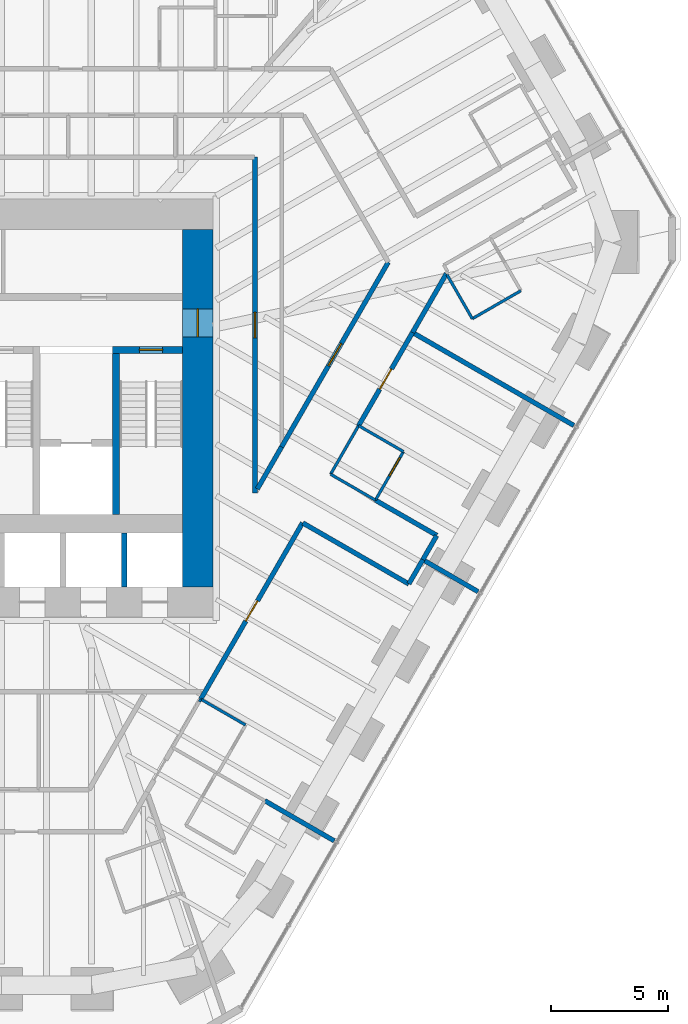
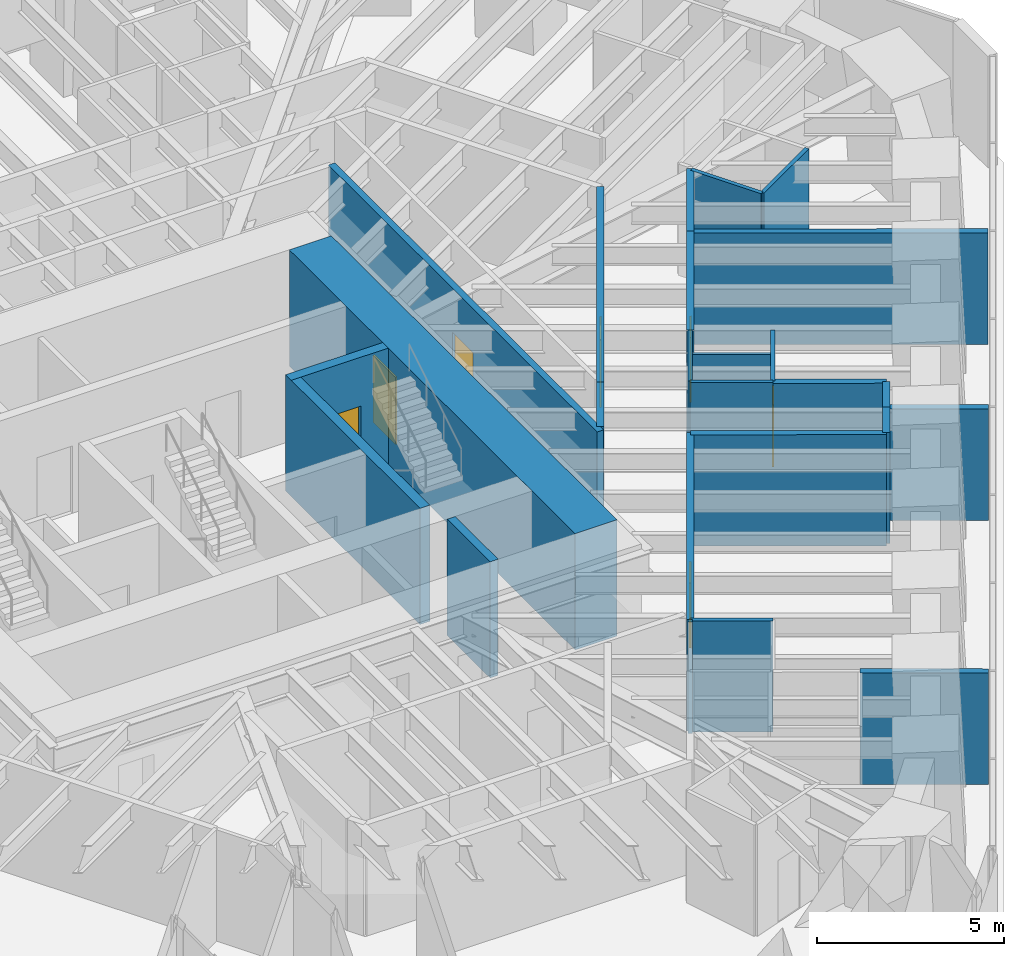
# One storey, part 13 of 18: 25 walls, 7 doors, 7 openings.
"""IFC4 building model written with IfcOpenShell, lengths in metres."""

from ifc_helpers import new_model, si_unit, direction, frame, frame_2d, origin, place, context, subcontext, project, spatial, rectangle, extrude, material, layer, layer_set, type_object, element, fill, save


model = new_model("IFC4")

# Units and contexts
model_context = context("Model", 3, precision=1e-05, world=origin(), true_north=direction((0.0, 1.0)))
body_context = subcontext(model_context, "Body", "Model", "MODEL_VIEW")
ifc_project = project(units=[si_unit("LENGTHUNIT", "METRE"), si_unit("AREAUNIT", "SQUARE_METRE"), si_unit("VOLUMEUNIT", "CUBIC_METRE"), si_unit("PLANEANGLEUNIT", "RADIAN"), si_unit("MASSUNIT", "GRAM", prefix="KILO")], contexts=[model_context])

# Site, building, storey
site_placement = place(None, origin())
site = spatial("IfcSite", under=ifc_project, at=site_placement, CompositionType="ELEMENT")
building_placement = place(site_placement, origin())
building = spatial("IfcBuilding", under=site, at=building_placement, Name="Sandreach Pilgrim Tower", CompositionType="ELEMENT")
storey_placement = place(building_placement, frame((0.0, 0.0, 157.60009765625)))
storey = spatial("IfcBuildingStorey", under=building, at=storey_placement, Name="L39", CompositionType="ELEMENT", Elevation=157.60009765625)

# Walls
ifc_material_1 = material(Name="Moisture-resistant gypsum board on steel studs", Category="steel")
ifc_layer_1 = layer(ifc_material_1, 0.1201171875)
ifc_layer_set_1 = layer_set([ifc_layer_1], Name="Bathroom partition 120")
wall_type_1 = type_object("IfcWallType", Name="Bathroom partition 120", PredefinedType="PARTITIONING", material=ifc_layer_set_1)
wall_1_placement = place(storey_placement, frame((8.469970703125, -14.1201171875, 0.0), z_axis=(0.0, 0.0, 1.0), x_axis=(0.478852130681, 0.877895572914, 0.0)))
element("IfcWall", 1, at=wall_1_placement, inside=storey, type_object=wall_type_1, Name="Bathroom partition L39-105", PredefinedType="PARTITIONING", context=body_context, shape_type="SweptSolid", body=[
    extrude(rectangle(XDim=0.12548828125, YDim=0.1201171875, at=frame_2d((0.062744140625, 0.0))), origin(), (0.0, 0.0, 1.0), 3.639892578125),
])
wall_2_placement = place(storey_placement, frame((10.449951171875, -15.1201171875, 0.0), z_axis=(0.0, 0.0, 1.0), x_axis=(-0.865705017107, 0.500554515868, 0.0)))
element("IfcWall", 2, at=wall_2_placement, inside=storey, type_object=wall_type_1, Name="Bathroom partition L39-119", PredefinedType="PARTITIONING", context=body_context, shape_type="SweptSolid", body=[
    extrude(rectangle(XDim=2.2177734375, YDim=0.1201171875, at=frame_2d((1.10888671875, 0.0))), origin(), (0.0, 0.0, 1.0), 3.639892578125),
])
wall_3_placement = place(storey_placement, frame((14.090087890625, -4.3798828125, 0.0), z_axis=(0.0, 0.0, 1.0), x_axis=(0.499737123639, 0.866177122335, 0.0)))
element("IfcWall", 3, at=wall_3_placement, inside=storey, type_object=wall_type_1, Name="Bathroom partition L39-132", PredefinedType="PARTITIONING", context=body_context, shape_type="SweptSolid", body=[
    extrude(rectangle(XDim=2.401123046875, YDim=0.1201171875, at=frame_2d((1.20068359375, 0.0))), origin(), (0.0, 0.0, 1.0), 3.639892578125),
])
wall_4_placement = place(storey_placement, frame((14.090087890625, -4.3798828125, 0.0), z_axis=(0.0, 0.0, 1.0), x_axis=(0.865705017107, -0.500554515868, 0.0)))
element("IfcWall", 4, at=wall_4_placement, inside=storey, type_object=wall_type_1, Name="Bathroom partition L39-133", PredefinedType="PARTITIONING", context=body_context, shape_type="SweptSolid", body=[
    extrude(rectangle(XDim=2.2177734375, YDim=0.1201171875, at=frame_2d((1.10888671875, 0.0))), origin(), (0.0, 0.0, 1.0), 3.639892578125),
])

# Wall, opening, door
wall_5_placement = place(storey_placement, frame((16.010009765625, -5.489990234375, 0.0), z_axis=(0.0, 0.0, 1.0), x_axis=(0.499693115345, 0.866202511239, 0.0)))
wall_5 = element("IfcWall", 5, at=wall_5_placement, inside=storey, type_object=wall_type_1, Name="Bathroom partition L39-135", PredefinedType="PARTITIONING", context=body_context, shape_type="SweptSolid", body=[
    extrude(rectangle(XDim=2.4013671875, YDim=0.1201171875, at=frame_2d((1.20068359375, 0.0))), origin(), (0.0, 0.0, 1.0), 3.639892578125),
])
opening_1_placement = place(wall_5_placement, frame((1.201416015625, 0.0, 0.0)))
opening_1 = element("IfcOpeningElement", 6, at=opening_1_placement, cuts=wall_5, Name="Opening D09-07B", PredefinedType="OPENING", context=body_context, shape_type="SweptSolid", body=[
    extrude(rectangle(XDim=0.89990234375, YDim=2.030029296875, at=frame_2d((0.449951171875, 1.01513671875))), frame((0.0, 0.06005859375, 0.0), z_axis=(0.0, -1.0, 0.0), x_axis=(1.0, 0.0, 0.0)), (0.0, 0.0, 1.0), 0.1201171875),
])
ifc_material_2 = material(Name="Timber door, steel frame", Category="steel")
door_type_1 = type_object("IfcDoorType", Name="Bathroom door", OperationType="SINGLE_SWING_LEFT", PredefinedType="DOOR", material=ifc_material_2)
door_1_placement = place(opening_1_placement, origin())
door_1 = element("IfcDoor", 7, at=door_1_placement, inside=storey, type_object=door_type_1, Name="Door 3907B", OperationType="SINGLE_SWING_RIGHT", OverallHeight=2.030029296875, OverallWidth=0.89990234375, PredefinedType="DOOR", context=body_context, shape_type="SweptSolid", body=[
    extrude(rectangle(XDim=0.89990234375, YDim=2.030029296875, at=frame_2d((0.449951171875, 1.01513671875))), frame((0.0, 0.02490234375, 0.0), z_axis=(0.0, -1.0, 0.0), x_axis=(1.0, 0.0, 0.0)), (0.0, 0.0, 1.0), 0.050048828125),
])
fill(opening_1, door_1)

# Walls
wall_6_placement = place(storey_placement, frame((17.2099609375, -3.409912109375, 0.0), z_axis=(0.0, 0.0, 1.0), x_axis=(-0.86575271903, 0.500472006703, 0.0)))
element("IfcWall", 8, at=wall_6_placement, inside=storey, type_object=wall_type_1, Name="Bathroom partition L39-138", PredefinedType="PARTITIONING", context=body_context, shape_type="SweptSolid", body=[
    extrude(rectangle(XDim=2.217529296875, YDim=0.1201171875, at=frame_2d((1.10888671875, 0.0))), origin(), (0.0, 0.0, 1.0), 2.8779296875),
])
wall_7_placement = place(storey_placement, frame((19.074951171875, 4.166748046875, 0.0), z_axis=(0.0, 0.0, 1.0), x_axis=(0.498504844819, -0.866886912862, 0.0)))
element("IfcWall", 9, at=wall_7_placement, inside=storey, type_object=wall_type_1, Name="Bathroom partition L39-146", PredefinedType="PARTITIONING", context=body_context, shape_type="SweptSolid", body=[
    extrude(rectangle(XDim=2.176513671875, YDim=0.1201171875, at=frame_2d((1.08837890625, 0.0))), origin(), (0.0, 0.0, 1.0), 3.639892578125),
])
wall_8_placement = place(storey_placement, frame((20.159912109375, 2.280029296875, 0.0), z_axis=(0.0, 0.0, 1.0), x_axis=(0.866202511239, 0.499693115345, 0.0)))
element("IfcWall", 10, at=wall_8_placement, inside=storey, type_object=wall_type_1, Name="Bathroom partition L39-150", PredefinedType="PARTITIONING", context=body_context, shape_type="SweptSolid", body=[
    extrude(rectangle(XDim=2.4013671875, YDim=0.1201171875, at=frame_2d((1.20068359375, 0.0))), origin(), (0.0, 0.0, 1.0), 3.639892578125),
])
ifc_material_3 = material(Name="Concrete 10000 psi", Category="concrete")
ifc_layer_2 = layer(ifc_material_3, 0.300048828125)
ifc_layer_set_2 = layer_set([ifc_layer_2], Name="Core inner wall 300")
wall_type_2 = type_object("IfcWallType", Name="Core inner wall 300", PredefinedType="SHEAR", material=ifc_layer_set_2)
wall_9_placement = place(storey_placement, frame((4.89990234375, -6.10009765625, 0.0), z_axis=(0.0, 0.0, 1.0), x_axis=(0.0, 1.0, 0.0)))
element("IfcWall", 11, at=wall_9_placement, inside=storey, type_object=wall_type_2, Name="Core wall I3 L39", PredefinedType="SHEAR", context=body_context, shape_type="SweptSolid", body=[
    extrude(rectangle(XDim=7.2001953125, YDim=0.300048828125, at=frame_2d((3.60009765625, 0.0))), origin(), (0.0, 0.0, 1.0), 3.7998046875),
])

# Wall, opening, door
wall_10_placement = place(storey_placement, frame((4.75, 0.949951171875, 0.0), z_axis=(0.0, 0.0, 1.0), x_axis=(1.0, 0.0, 0.0)))
wall_10 = element("IfcWall", 12, at=wall_10_placement, inside=storey, type_object=wall_type_2, Name="Core wall SN2 L39", PredefinedType="SHEAR", context=body_context, shape_type="SweptSolid", body=[
    extrude(rectangle(XDim=3.0, YDim=0.300048828125, at=frame_2d((1.5, 0.0))), origin(), (0.0, 0.0, 1.0), 3.7998046875),
])
opening_2_placement = place(wall_10_placement, frame((1.14990234375, 0.0, 0.0)))
opening_2 = element("IfcOpeningElement", 13, at=opening_2_placement, cuts=wall_10, Name="Opening D10S-ST2", PredefinedType="OPENING", context=body_context, shape_type="SweptSolid", body=[
    extrude(rectangle(XDim=1.0, YDim=2.199951171875, at=frame_2d((0.5, 1.10009765625))), frame((0.0, 0.14990234375, 0.0), z_axis=(0.0, -1.0, 0.0), x_axis=(1.0, 0.0, 0.0)), (0.0, 0.0, 1.0), 0.300048828125),
])
ifc_material_4 = material(Name="Steel door and frame", Category="steel")
door_type_2 = type_object("IfcDoorType", Name="Stair door", OperationType="SINGLE_SWING_LEFT", PredefinedType="DOOR", material=ifc_material_4)
door_2_placement = place(opening_2_placement, origin())
door_2 = element("IfcDoor", 14, at=door_2_placement, inside=storey, type_object=door_type_2, Name="Stair door ST2 L39", OperationType="SINGLE_SWING_RIGHT", OverallHeight=2.199951171875, OverallWidth=1.0, PredefinedType="DOOR", context=body_context, shape_type="SweptSolid", body=[
    extrude(rectangle(XDim=1.0, YDim=2.199951171875, at=frame_2d((0.5, 1.10009765625))), frame((0.0, 0.02490234375, 0.0), z_axis=(0.0, -1.0, 0.0), x_axis=(1.0, 0.0, 0.0)), (0.0, 0.0, 1.0), 0.050048828125),
])
fill(opening_2, door_2)

ifc_material_5 = material(Name="Concrete 10000 psi", Category="concrete")
ifc_layer_3 = layer(ifc_material_5, 1.300048828125)
ifc_layer_set_3 = layer_set([ifc_layer_3], Name="Core wall 1300")
wall_type_3 = type_object("IfcWallType", Name="Core wall 1300", PredefinedType="SHEAR", material=ifc_layer_set_3)
wall_11_placement = place(storey_placement, frame((8.39990234375, -9.199951171875, 0.0), z_axis=(0.0, 0.0, 1.0), x_axis=(0.0, 1.0, 0.0)))
wall_11 = element("IfcWall", 15, at=wall_11_placement, inside=storey, type_object=wall_type_3, Name="Core wall E L39", PredefinedType="SHEAR", context=body_context, shape_type="SweptSolid", body=[
    extrude(rectangle(XDim=15.300048828125, YDim=1.300048828125, at=frame_2d((7.64990234375, 0.0))), origin(), (0.0, 0.0, 1.0), 3.7998046875),
])
opening_3_placement = place(wall_11_placement, frame((10.699951171875, 0.0, 0.0)))
opening_3 = element("IfcOpeningElement", 16, at=opening_3_placement, cuts=wall_11, Name="Opening D12F-E", PredefinedType="OPENING", context=body_context, shape_type="SweptSolid", body=[
    extrude(rectangle(XDim=1.199951171875, YDim=2.199951171875, at=frame_2d((0.60009765625, 1.10009765625))), frame((0.0, 0.64990234375, 0.0), z_axis=(0.0, -1.0, 0.0), x_axis=(1.0, 0.0, 0.0)), (0.0, 0.0, 1.0), 1.300048828125),
])
ifc_material_6 = material(Name="Steel door and frame", Category="steel")
door_type_3 = type_object("IfcDoorType", Name="Fire lobby door", OperationType="SINGLE_SWING_LEFT", PredefinedType="DOOR", material=ifc_material_6)
door_3_placement = place(opening_3_placement, origin())
door_3 = element("IfcDoor", 17, at=door_3_placement, inside=storey, type_object=door_type_3, Name="Fire service lobby door E L39", OperationType="SINGLE_SWING_RIGHT", OverallHeight=2.199951171875, OverallWidth=1.199951171875, PredefinedType="DOOR", context=body_context, shape_type="SweptSolid", body=[
    extrude(rectangle(XDim=1.199951171875, YDim=2.199951171875, at=frame_2d((0.60009765625, 1.10009765625))), frame((0.0, 0.02490234375, 0.0), z_axis=(0.0, -1.0, 0.0), x_axis=(1.0, 0.0, 0.0)), (0.0, 0.0, 1.0), 0.050048828125),
])
fill(opening_3, door_3)

ifc_material_7 = material(Name="Gypsum board on steel studs, two layers each side", Category="steel")
ifc_layer_4 = layer(ifc_material_7, 0.199951171875)
ifc_layer_set_4 = layer_set([ifc_layer_4], Name="Corridor wall 200")
wall_type_4 = type_object("IfcWallType", Name="Corridor wall 200", PredefinedType="PARTITIONING", material=ifc_layer_set_4)
wall_12_placement = place(storey_placement, frame((8.530029296875, -14.010009765625, 0.0), z_axis=(0.0, 0.0, 1.0), x_axis=(0.500072306674, 0.865983653482, 0.0)))
wall_12 = element("IfcWall", 18, at=wall_12_placement, inside=storey, type_object=wall_type_4, Name="Corridor wall L39-106", PredefinedType="PARTITIONING", context=body_context, shape_type="SweptSolid", body=[
    extrude(rectangle(XDim=8.718505859375, YDim=0.199951171875, at=frame_2d((4.359375, 0.0))), origin(), (0.0, 0.0, 1.0), 3.639892578125),
])
opening_4_placement = place(wall_12_placement, frame((3.859375, 0.0, 0.0)))
opening_4 = element("IfcOpeningElement", 19, at=opening_4_placement, cuts=wall_12, Name="Opening D10-08", PredefinedType="OPENING", context=body_context, shape_type="SweptSolid", body=[
    extrude(rectangle(XDim=1.0, YDim=2.1298828125, at=frame_2d((0.5, 1.06494140625))), frame((0.0, 0.10009765625, 0.0), z_axis=(0.0, -1.0, 0.0), x_axis=(1.0, 0.0, 0.0)), (0.0, 0.0, 1.0), 0.199951171875),
])
ifc_material_8 = material(Name="Steel door and frame", Category="steel")
door_type_4 = type_object("IfcDoorType", Name="Guest room entry door", OperationType="SINGLE_SWING_LEFT", PredefinedType="DOOR", material=ifc_material_8)
door_4_placement = place(opening_4_placement, origin())
door_4 = element("IfcDoor", 20, at=door_4_placement, inside=storey, type_object=door_type_4, Name="Door 3908", OperationType="SINGLE_SWING_LEFT", OverallHeight=2.1298828125, OverallWidth=1.0, PredefinedType="DOOR", context=body_context, shape_type="SweptSolid", body=[
    extrude(rectangle(XDim=1.0, YDim=2.1298828125, at=frame_2d((0.5, 1.06494140625))), frame((0.0, 0.02490234375, 0.0), z_axis=(0.0, -1.0, 0.0), x_axis=(1.0, 0.0, 0.0)), (0.0, 0.0, 1.0), 0.050048828125),
])
fill(opening_4, door_4)

wall_13_placement = place(storey_placement, frame((10.85009765625, -5.18994140625, 0.0), z_axis=(0.0, 0.0, 1.0), x_axis=(0.0, 1.0, 0.0)))
wall_13 = element("IfcWall", 21, at=wall_13_placement, inside=storey, type_object=wall_type_4, Name="Corridor wall L39-121", PredefinedType="PARTITIONING", context=body_context, shape_type="SweptSolid", body=[
    extrude(rectangle(XDim=14.389892578125, YDim=0.199951171875, at=frame_2d((7.19482421875, 0.0))), origin(), (0.0, 0.0, 1.0), 3.639892578125),
])
opening_5_placement = place(wall_13_placement, frame((6.64501953125, 0.0, 0.0)))
opening_5 = element("IfcOpeningElement", 22, at=opening_5_placement, cuts=wall_13, Name="Opening D11H-M06", PredefinedType="OPENING", context=body_context, shape_type="SweptSolid", body=[
    extrude(rectangle(XDim=1.10009765625, YDim=2.199951171875, at=frame_2d((0.550048828125, 1.10009765625))), frame((0.0, 0.10009765625, 0.0), z_axis=(0.0, -1.0, 0.0), x_axis=(1.0, 0.0, 0.0)), (0.0, 0.0, 1.0), 0.199951171875),
])
ifc_material_9 = material(Name="Steel door and frame", Category="steel")
door_type_5 = type_object("IfcDoorType", Name="Back of house door", OperationType="SINGLE_SWING_LEFT", PredefinedType="DOOR", material=ifc_material_9)
door_5_placement = place(opening_5_placement, origin())
door_5 = element("IfcDoor", 23, at=door_5_placement, inside=storey, type_object=door_type_5, Name="Door 39M06", OperationType="SINGLE_SWING_LEFT", OverallHeight=2.199951171875, OverallWidth=1.10009765625, PredefinedType="DOOR", context=body_context, shape_type="SweptSolid", body=[
    extrude(rectangle(XDim=1.10009765625, YDim=2.199951171875, at=frame_2d((0.550048828125, 1.10009765625))), frame((0.0, 0.02490234375, 0.0), z_axis=(0.0, -1.0, 0.0), x_axis=(1.0, 0.0, 0.0)), (0.0, 0.0, 1.0), 0.050048828125),
])
fill(opening_5, door_5)

# Walls
wall_14_placement = place(storey_placement, frame((11.989990234375, -3.2099609375, 0.0), z_axis=(0.0, 0.0, 1.0), x_axis=(-0.498943070116, -0.866634763198, 0.0)))
element("IfcWall", 24, at=wall_14_placement, inside=storey, type_object=wall_type_4, Name="Corridor wall L39-126", PredefinedType="PARTITIONING", context=body_context, shape_type="SweptSolid", body=[
    extrude(rectangle(XDim=2.07958984375, YDim=0.199951171875, at=frame_2d((1.039794921875, 0.0))), origin(), (0.0, 0.0, 1.0), 3.639892578125),
])
wall_15_placement = place(storey_placement, frame((12.903076171875, -6.467529296875, 0.0), z_axis=(0.0, 0.0, 1.0), x_axis=(0.866588235578, -0.499023877142, 0.0)))
element("IfcWall", 25, at=wall_15_placement, inside=storey, type_object=wall_type_4, Name="Corridor wall L39-129", PredefinedType="PARTITIONING", context=body_context, shape_type="SweptSolid", body=[
    extrude(rectangle(XDim=5.2353515625, YDim=0.199951171875, at=frame_2d((2.61767578125, 0.0))), origin(), (0.0, 0.0, 1.0), 3.639892578125),
])

# Wall, opening, door
wall_16_placement = place(storey_placement, frame((15.2900390625, -2.300048828125, 0.0), z_axis=(0.0, 0.0, 1.0), x_axis=(0.501046707413, 0.865420242998, 0.0)))
wall_16 = element("IfcWall", 26, at=wall_16_placement, inside=storey, type_object=wall_type_4, Name="Corridor wall L39-134", PredefinedType="PARTITIONING", context=body_context, shape_type="SweptSolid", body=[
    extrude(rectangle(XDim=4.6103515625, YDim=0.199951171875, at=frame_2d((2.30517578125, 0.0))), origin(), (0.0, 0.0, 1.0), 3.639892578125),
])
opening_6_placement = place(wall_16_placement, frame((1.80517578125, 0.0, 0.0)))
opening_6 = element("IfcOpeningElement", 27, at=opening_6_placement, cuts=wall_16, Name="Opening D10-07", PredefinedType="OPENING", context=body_context, shape_type="SweptSolid", body=[
    extrude(rectangle(XDim=1.0, YDim=2.1298828125, at=frame_2d((0.5, 1.06494140625))), frame((0.0, 0.10009765625, 0.0), z_axis=(0.0, -1.0, 0.0), x_axis=(1.0, 0.0, 0.0)), (0.0, 0.0, 1.0), 0.199951171875),
])
door_6_placement = place(opening_6_placement, origin())
door_6 = element("IfcDoor", 28, at=door_6_placement, inside=storey, type_object=door_type_4, Name="Door 3907", OperationType="SINGLE_SWING_LEFT", OverallHeight=2.1298828125, OverallWidth=1.0, PredefinedType="DOOR", context=body_context, shape_type="SweptSolid", body=[
    extrude(rectangle(XDim=1.0, YDim=2.1298828125, at=frame_2d((0.5, 1.06494140625))), frame((0.0, 0.02490234375, 0.0), z_axis=(0.0, -1.0, 0.0), x_axis=(1.0, 0.0, 0.0)), (0.0, 0.0, 1.0), 0.050048828125),
])
fill(opening_6, door_6)

# Wall
wall_17_placement = place(storey_placement, frame((16.010009765625, -5.489990234375, 0.0), z_axis=(0.0, 0.0, 1.0), x_axis=(0.867235717092, -0.497897791721, 0.0)))
element("IfcWall", 29, at=wall_17_placement, inside=storey, type_object=wall_type_4, Name="Corridor wall L39-136", PredefinedType="PARTITIONING", context=body_context, shape_type="SweptSolid", body=[
    extrude(rectangle(XDim=3.03271484375, YDim=0.199951171875, at=frame_2d((1.516357421875, 0.0))), origin(), (0.0, 0.0, 1.0), 3.639892578125),
])

# Wall, opening, door
wall_18_placement = place(storey_placement, frame((16.56005859375, 4.699951171875, 0.0), z_axis=(0.0, 0.0, 1.0), x_axis=(-0.500269138002, -0.865869961116, 0.0)))
wall_18 = element("IfcWall", 30, at=wall_18_placement, inside=storey, type_object=wall_type_4, Name="Corridor wall L39-137", PredefinedType="PARTITIONING", context=body_context, shape_type="SweptSolid", body=[
    extrude(rectangle(XDim=9.13525390625, YDim=0.199951171875, at=frame_2d((4.567626953125, 0.0))), origin(), (0.0, 0.0, 1.0), 3.639892578125),
])
opening_7_placement = place(wall_18_placement, frame((4.017578125, 0.0, 0.0)))
opening_7 = element("IfcOpeningElement", 31, at=opening_7_placement, cuts=wall_18, Name="Opening D11H-M07", PredefinedType="OPENING", context=body_context, shape_type="SweptSolid", body=[
    extrude(rectangle(XDim=1.10009765625, YDim=2.199951171875, at=frame_2d((0.550048828125, 1.10009765625))), frame((0.0, 0.10009765625, 0.0), z_axis=(0.0, -1.0, 0.0), x_axis=(1.0, 0.0, 0.0)), (0.0, 0.0, 1.0), 0.199951171875),
])
door_7_placement = place(opening_7_placement, origin())
door_7 = element("IfcDoor", 32, at=door_7_placement, inside=storey, type_object=door_type_5, Name="Door 39M07", OperationType="SINGLE_SWING_LEFT", OverallHeight=2.199951171875, OverallWidth=1.10009765625, PredefinedType="DOOR", context=body_context, shape_type="SweptSolid", body=[
    extrude(rectangle(XDim=1.10009765625, YDim=2.199951171875, at=frame_2d((0.550048828125, 1.10009765625))), frame((0.0, 0.02490234375, 0.0), z_axis=(0.0, -1.0, 0.0), x_axis=(1.0, 0.0, 0.0)), (0.0, 0.0, 1.0), 0.050048828125),
])
fill(opening_7, door_7)

# Walls
wall_19_placement = place(storey_placement, frame((17.445068359375, -9.0712890625, 0.0), z_axis=(0.0, 0.0, 1.0), x_axis=(0.499734288277, 0.866178758179, 0.0)))
element("IfcWall", 33, at=wall_19_placement, inside=storey, type_object=wall_type_4, Name="Corridor wall L39-139", PredefinedType="PARTITIONING", context=body_context, shape_type="SweptSolid", body=[
    extrude(rectangle(XDim=1.190673828125, YDim=0.199951171875, at=frame_2d((0.59521484375, 0.0))), origin(), (0.0, 0.0, 1.0), 3.639892578125),
])
wall_20_placement = place(storey_placement, frame((17.60009765625, 1.68994140625, 0.0), z_axis=(0.0, 0.0, 1.0), x_axis=(0.498714069474, 0.866766564254, 0.0)))
element("IfcWall", 34, at=wall_20_placement, inside=storey, type_object=wall_type_4, Name="Corridor wall L39-140", PredefinedType="PARTITIONING", context=body_context, shape_type="SweptSolid", body=[
    extrude(rectangle(XDim=2.907470703125, YDim=0.199951171875, at=frame_2d((1.45361328125, 0.0))), origin(), (0.0, 0.0, 1.0), 3.639892578125),
])
wall_21_placement = place(storey_placement, frame((18.0400390625, -8.0400390625, 0.0), z_axis=(0.0, 0.0, 1.0), x_axis=(0.499704629046, 0.866195869137, 0.0)))
element("IfcWall", 35, at=wall_21_placement, inside=storey, type_object=wall_type_4, Name="Corridor wall L39-143", PredefinedType="PARTITIONING", context=body_context, shape_type="SweptSolid", body=[
    extrude(rectangle(XDim=1.185791015625, YDim=0.199951171875, at=frame_2d((0.5927734375, 0.0))), origin(), (0.0, 0.0, 1.0), 3.639892578125),
])
ifc_material_10 = material(Name="Double steel stud acoustic wall, gypsum board", Category="steel")
ifc_layer_5 = layer(ifc_material_10, 0.199951171875)
ifc_layer_set_5 = layer_set([ifc_layer_5], Name="Party wall 200")
wall_type_5 = type_object("IfcWallType", Name="Party wall 200", PredefinedType="PARTITIONING", material=ifc_layer_set_5)
wall_22_placement = place(storey_placement, frame((11.27001953125, -18.360107421875, 0.0), z_axis=(0.0, 0.0, 1.0), x_axis=(0.865806952829, -0.500378177414, 0.0)))
element("IfcWall", 36, at=wall_22_placement, inside=storey, type_object=wall_type_5, Name="Party wall L39-123", PredefinedType="PARTITIONING", context=body_context, shape_type="SweptSolid", body=[
    extrude(rectangle(XDim=3.437255859375, YDim=0.199951171875, at=frame_2d((1.71875, 0.0))), origin(), (0.0, 0.0, 1.0), 3.639892578125),
])
wall_23_placement = place(storey_placement, frame((20.40625, -9.409912109375, 0.0), z_axis=(0.0, 0.0, 1.0), x_axis=(-0.865444726364, 0.501004416756, 0.0)))
element("IfcWall", 37, at=wall_23_placement, inside=storey, type_object=wall_type_5, Name="Party wall L39-151", PredefinedType="PARTITIONING", context=body_context, shape_type="SweptSolid", body=[
    extrude(rectangle(XDim=2.71923828125, YDim=0.199951171875, at=frame_2d((1.359619140625, 0.0))), origin(), (0.0, 0.0, 1.0), 3.639892578125),
])
wall_24_placement = place(storey_placement, frame((24.506103515625, -2.2900390625, 0.0), z_axis=(0.0, 0.0, 1.0), x_axis=(-0.866414224119, 0.499325937884, 0.0)))
element("IfcWall", 38, at=wall_24_placement, inside=storey, type_object=wall_type_5, Name="Party wall L39-160", PredefinedType="PARTITIONING", context=body_context, shape_type="SweptSolid", body=[
    extrude(rectangle(XDim=7.9609375, YDim=0.199951171875, at=frame_2d((3.98046875, 0.0))), origin(), (0.0, 0.0, 1.0), 3.639892578125),
])
ifc_material_11 = material(Name="Gypsum shaft wall on steel studs, two layers of shaft liner board", Category="steel")
ifc_layer_6 = layer(ifc_material_11, 0.25)
ifc_layer_set_6 = layer_set([ifc_layer_6], Name="Shaft partition 250")
wall_type_6 = type_object("IfcWallType", Name="Shaft partition 250", PredefinedType="PARTITIONING", material=ifc_layer_set_6)
wall_25_placement = place(storey_placement, frame((5.25, -9.199951171875, 0.0), z_axis=(0.0, 0.0, 1.0), x_axis=(0.0, 1.0, 0.0)))
element("IfcWall", 39, at=wall_25_placement, inside=storey, type_object=wall_type_6, Name="Shaft partition XS4 L39", PredefinedType="PARTITIONING", context=body_context, shape_type="SweptSolid", body=[
    extrude(rectangle(XDim=2.300048828125, YDim=0.25, at=frame_2d((1.14990234375, 0.0))), origin(), (0.0, 0.0, 1.0), 3.7998046875),
])

save(model, "model.ifc")
